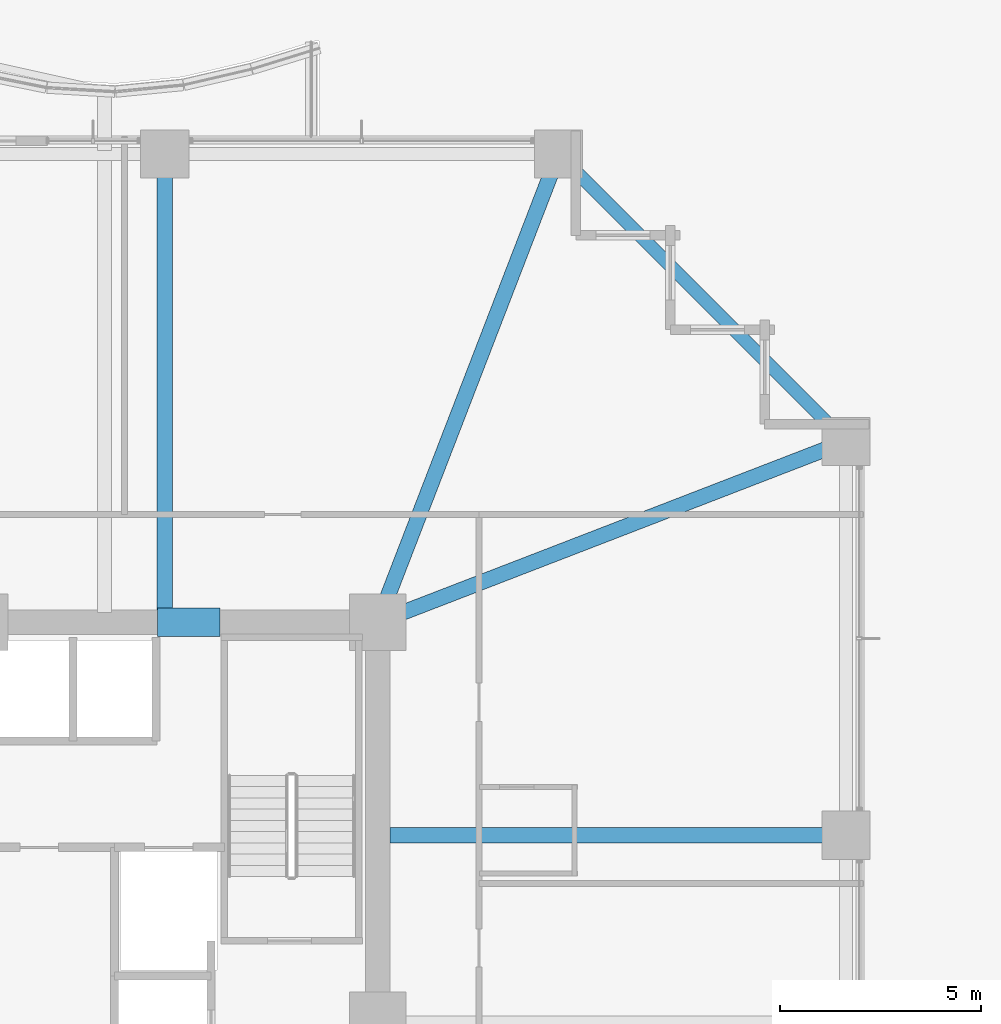
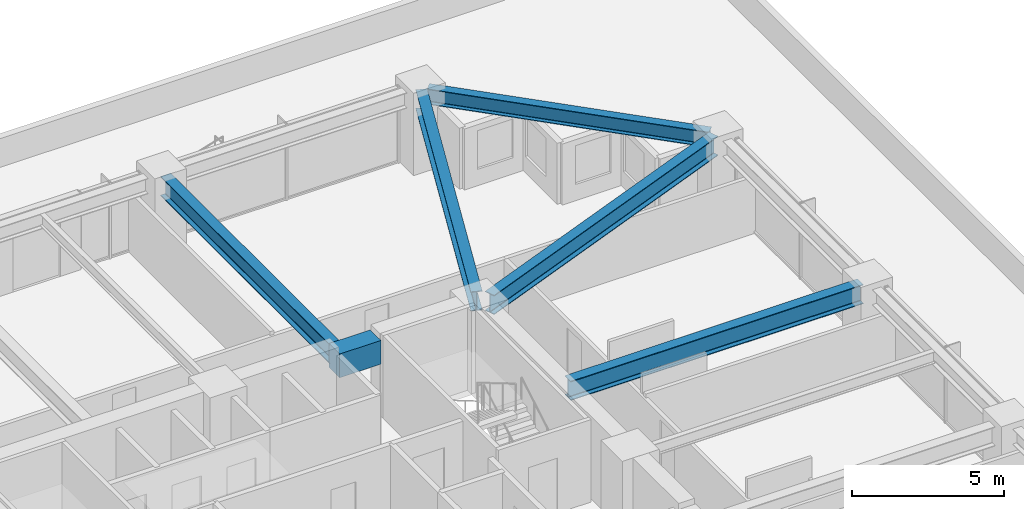
# One storey, part 22 of 36: 6 beams.
"""IFC4 building model written with IfcOpenShell, lengths in metres."""

import ifcopenshell
import ifcopenshell.guid

model = None  # the IFC model being written
_history = None  # IfcOwnerHistory: only IFC2X3 demands one
_inside = {}  # id of a spatial element -> (the spatial element, [elements in it])
_under = {}  # id of a project, library or spatial element -> (it, [spatial elements below it])
_declared = {}  # id of a project -> (the project, [libraries it declares])
_typed = {}  # id of a type object -> (the type object, [elements of that type])
_made_of = {}  # id of a material, layer set ... -> (it, [elements and type objects made of it])


def new_model(schema):
    """Start an empty IFC model of exactly this schema.

    Asked for "IFC4X3", IfcOpenShell would pick the latest addendum, in which some entities
    have other attributes; the version numbers below select the first issue.
    IFC2X3 requires an IfcOwnerHistory on every rooted entity: one is made here for all.
    """
    global model, _history
    if schema == "IFC4X3":
        model = ifcopenshell.file(schema_version=(4, 3, 0, 0))
    else:
        model = ifcopenshell.file(schema=schema)
    _inside.clear()
    _under.clear()
    _declared.clear()
    _typed.clear()
    _made_of.clear()
    _history = None
    if model.schema == "IFC2X3":
        org = make("IfcOrganization", Name="unknown")
        user = make(
            "IfcPersonAndOrganization",
            ThePerson=make("IfcPerson", FamilyName="unknown"),
            TheOrganization=org,
        )
        app = make(
            "IfcApplication",
            ApplicationDeveloper=org,
            Version="unknown",
            ApplicationFullName="unknown",
            ApplicationIdentifier="unknown",
        )
        _history = make(
            "IfcOwnerHistory",
            OwningUser=user,
            OwningApplication=app,
            ChangeAction="ADDED",
            CreationDate=0,
        )
    return model


def make(cls, **values):
    """One entity of the class cls with the attributes given. An attribute that is None is left unset."""
    return model.create_entity(
        cls, **{name: value for name, value in values.items() if value is not None}
    )


def rooted(cls, **values):
    """An entity with a GlobalId (a new one), such as an element, a storey or a relation."""
    return make(cls, GlobalId=ifcopenshell.guid.new(), OwnerHistory=_history, **values)


def si_unit(unit_type, name, prefix=None):
    """IfcSIUnit, for example si_unit("LENGTHUNIT", "METRE", prefix="MILLI")."""
    return make("IfcSIUnit", UnitType=unit_type, Prefix=prefix, Name=name)


def assignment(units):
    """IfcUnitAssignment: the units of a project."""
    return None if units is None else make("IfcUnitAssignment", Units=units)


def point(xyz):
    """IfcCartesianPoint."""
    return None if xyz is None else make("IfcCartesianPoint", Coordinates=xyz)


def direction(xyz):
    """IfcDirection."""
    return None if xyz is None else make("IfcDirection", DirectionRatios=xyz)


def frame(location, z_axis=None, x_axis=None):
    """IfcAxis2Placement3D, a coordinate frame: its origin and axes. An axis left out is left unset."""
    return make(
        "IfcAxis2Placement3D",
        Location=point(location),
        Axis=direction(z_axis),
        RefDirection=direction(x_axis),
    )


def frame_2d(location, x_axis=None):
    """IfcAxis2Placement2D, a coordinate frame in the plane: its origin and x axis."""
    return make(
        "IfcAxis2Placement2D", Location=point(location), RefDirection=direction(x_axis)
    )


def origin():
    """The frame at (0, 0, 0) with its axes left unset."""
    return frame((0.0, 0.0, 0.0))


def origin_2d():
    """The frame at (0, 0) in the plane with its x axis left unset."""
    return frame_2d((0.0, 0.0))


def place(relative_to, where):
    """IfcLocalPlacement: puts the frame where relative to a parent placement (None: the world)."""
    return make(
        "IfcLocalPlacement", PlacementRelTo=relative_to, RelativePlacement=where
    )


def context(
    kind, dimensions, precision=None, world=None, true_north=None, identifier=None
):
    """IfcGeometricRepresentationContext, for example the 3D "Model" context."""
    return make(
        "IfcGeometricRepresentationContext",
        ContextIdentifier=identifier,
        ContextType=kind,
        CoordinateSpaceDimension=dimensions,
        Precision=precision,
        WorldCoordinateSystem=world,
        TrueNorth=true_north,
    )


def subcontext(parent, identifier, kind, view, scale=None):
    """IfcGeometricRepresentationSubContext, for example "Body" below "Model"."""
    return make(
        "IfcGeometricRepresentationSubContext",
        ContextIdentifier=identifier,
        ContextType=kind,
        ParentContext=parent,
        TargetScale=scale,
        TargetView=view,
    )


def project(units=None, contexts=None):
    """IfcProject with its units and contexts."""
    return rooted(
        "IfcProject",
        Name="project",
        RepresentationContexts=contexts,
        UnitsInContext=assignment(units),
    )


def spatial(cls, under=None, at=None, **own):
    """A site, building, storey or space (cls), placed at a placement, below another one or the project."""
    s = rooted(cls, ObjectPlacement=at, **own)
    if under is not None:
        _under.setdefault(under.id(), (under, []))[1].append(s)
    return s


def profile(cls, at=None, kind="AREA", **sizes):
    """A parametric profile (cls). Its sizes go by their IFC names, for example OverallWidth=200.0."""
    return make(cls, ProfileType=kind, Position=at, **sizes)


def rectangle(**sizes):
    """IfcRectangleProfileDef."""
    return profile("IfcRectangleProfileDef", **sizes)


def i_section(**sizes):
    """IfcIShapeProfileDef."""
    return profile("IfcIShapeProfileDef", **sizes)


def extrude(swept, where, along, depth):
    """IfcExtrudedAreaSolid: the profile swept, set in the frame where, extruded along a direction by depth."""
    return make(
        "IfcExtrudedAreaSolid",
        SweptArea=swept,
        Position=where,
        ExtrudedDirection=direction(along),
        Depth=depth,
    )


def shape(context_of_items, identifier, shape_type, items):
    """IfcShapeRepresentation: the items that make up one representation, for example the "Body"."""
    return make(
        "IfcShapeRepresentation",
        ContextOfItems=context_of_items,
        RepresentationIdentifier=identifier,
        RepresentationType=shape_type,
        Items=items,
    )


def material(Name=None, Category=None):
    """IfcMaterial."""
    return make("IfcMaterial", Name=Name, Category=Category)


def material_profile(
    of_material, cross_section, Name=None, Category=None, Priority=None
):
    """IfcMaterialProfile: a cross section and its material."""
    return make(
        "IfcMaterialProfile",
        Name=Name,
        Material=of_material,
        Profile=cross_section,
        Priority=Priority,
        Category=Category,
    )


def profile_set(profiles, Name=None, composite=None):
    """IfcMaterialProfileSet."""
    return make(
        "IfcMaterialProfileSet",
        Name=Name,
        MaterialProfiles=profiles,
        CompositeProfile=composite,
    )


def made_of(thing, what):
    """Note that an element or type object is made of a material, layer set ...; save() writes the relation."""
    if what is not None:
        _made_of.setdefault(what.id(), (what, []))[1].append(thing)
    return thing


def type_object(cls, material=None, **own):
    """A type object (cls), such as IfcWallType, which elements share."""
    return made_of(rooted(cls, **own), material)


def element(
    cls,
    number,
    at=None,
    inside=None,
    cuts=None,
    type_object=None,
    material=None,
    context=None,
    identifier="Body",
    shape_type=None,
    held_by="IfcProductDefinitionShape",
    body=None,
    shapes=None,
    **own,
):
    """One element of the class cls, such as IfcWall. Its Tag is "e" and its number.

    at: its placement. inside: the storey or other place that contains it. cuts: it is an
    opening in that element (IfcRelVoidsElement). A single representation is given by context,
    identifier, shape_type and body (its items); several are given by shapes. held_by: the class
    of the entity that holds the representations. save() writes the other relations.
    """
    e = rooted(cls, Tag="e%d" % number, ObjectPlacement=at, **own)
    if body is not None:
        shapes = [shape(context, identifier, shape_type, body)]
    if shapes is not None:
        e.Representation = make(held_by, Representations=shapes)
    if inside is not None:
        _inside.setdefault(inside.id(), (inside, []))[1].append(e)
    if cuts is not None:
        rooted(
            "IfcRelVoidsElement", RelatingBuildingElement=cuts, RelatedOpeningElement=e
        )
    if type_object is not None:
        _typed.setdefault(type_object.id(), (type_object, []))[1].append(e)
    return made_of(e, material)


def aggregate(whole, parts):
    """IfcRelAggregates: a whole, such as a stair, and the parts it consists of."""
    return rooted("IfcRelAggregates", RelatingObject=whole, RelatedObjects=parts)


def save(model, path):
    """Write the relations noted so far, then the file.

    IfcRelAggregates (storeys below a building ...), IfcRelContainedInSpatialStructure (elements
    in a storey), IfcRelDefinesByType, IfcRelAssociatesMaterial and IfcRelDeclares: one each for
    every whole, place, type object, material and project.
    """
    for whole, parts in _under.values():
        aggregate(whole, parts)
    for where, things in _inside.values():
        rooted(
            "IfcRelContainedInSpatialStructure",
            RelatedElements=things,
            RelatingStructure=where,
        )
    for kind, things in _typed.values():
        rooted("IfcRelDefinesByType", RelatedObjects=things, RelatingType=kind)
    for what, things in _made_of.values():
        rooted("IfcRelAssociatesMaterial", RelatedObjects=things, RelatingMaterial=what)
    for by, libraries in _declared.values():
        rooted("IfcRelDeclares", RelatingContext=by, RelatedDefinitions=libraries)
    model.write(path)


model = new_model("IFC4")

# Units and contexts
model_context = context("Model", 3, precision=1e-05, world=origin(), true_north=direction((0.0, 1.0)))
body_context = subcontext(model_context, "Body", "Model", "MODEL_VIEW")
ifc_project = project(units=[si_unit("LENGTHUNIT", "METRE"), si_unit("AREAUNIT", "SQUARE_METRE"), si_unit("VOLUMEUNIT", "CUBIC_METRE"), si_unit("PLANEANGLEUNIT", "RADIAN"), si_unit("MASSUNIT", "GRAM", prefix="KILO")], contexts=[model_context])

# Site, building, storey
site_placement = place(None, origin())
site = spatial("IfcSite", under=ifc_project, at=site_placement, CompositionType="ELEMENT")
building_placement = place(site_placement, origin())
building = spatial("IfcBuilding", under=site, at=building_placement, Name="Kolvaren Belvedere", CompositionType="ELEMENT")
storey_placement = place(building_placement, frame((0.0, 0.0, 23.800048828125)))
storey = spatial("IfcBuildingStorey", under=building, at=storey_placement, Name="L06", CompositionType="ELEMENT", Elevation=23.800048828125)

# Beams
ifc_material_1 = material(Name="Structural steel ASTM A992 Grade 50", Category="steel")
ifc_material_profile_1 = material_profile(ifc_material_1, i_section(OverallWidth=0.381103515625, OverallDepth=0.77294921875, WebThickness=0.0166015625, FlangeThickness=0.027099609375, FilletRadius=0.02392578125, at=origin_2d()), Name="W30X173")
ifc_profile_set_1 = profile_set([ifc_material_profile_1], Name="Structural steel ASTM A992 Grade 50")
beam_type_1 = type_object("IfcBeamType", Name="BM-GIRD-W30X173", PredefinedType="BEAM", material=ifc_profile_set_1)
for number, where, z_axis, x_axis, name in (
    (1, (4.60009765625, 10.199951171875, 2.67333984375), (0.0, 1.0, 0.0), (-1.0, 0.0, 0.0), "L06 North Radial Girder P"),
    (2, (10.199951171875, 4.60009765625, 2.67333984375), (1.0, 0.0, 0.0), (0.0, 1.0, 0.0), "L06 East Radial Girder P"),
):
    element("IfcBeam", number, at=place(storey_placement, frame(where, z_axis=z_axis, x_axis=x_axis)), inside=storey, type_object=beam_type_1, Name=name, PredefinedType="BEAM", context=body_context, shape_type="SweptSolid", body=[
        extrude(i_section(OverallWidth=0.381103515625, OverallDepth=0.77294921875, WebThickness=0.0166015625, FlangeThickness=0.027099609375, FilletRadius=0.02392578125, at=origin_2d()), origin(), (0.0, 0.0, 1.0), 11.080078125),
    ])
for number, where, z_axis, x_axis, name in (
    (3, (10.09814453125, 10.4130859375, 2.67333984375), (0.360318391835, 0.932829382313, 0.0), (-0.932829382313, 0.360318391835, 0.0), "L06 Corner Core-to-Perimeter Girder CC3-N4"),
    (4, (10.4130859375, 10.09814453125, 2.67333984375), (0.932829382313, 0.360318391835, 0.0), (-0.360318391835, 0.932829382313, 0.0), "L06 Corner Core-to-Perimeter Girder CC3-E4"),
):
    element("IfcBeam", number, at=place(storey_placement, frame(where, z_axis=z_axis, x_axis=x_axis)), inside=storey, type_object=beam_type_1, Name=name, PredefinedType="BEAM", context=body_context, shape_type="SweptSolid", body=[
        extrude(i_section(OverallWidth=0.381103515625, OverallDepth=0.77294921875, WebThickness=0.0166015625, FlangeThickness=0.027099609375, FilletRadius=0.02392578125, at=origin_2d()), origin(), (0.0, 0.0, 1.0), 11.698974609375),
    ])
ifc_material_2 = material(Name="Concrete C60/75", Category="concrete")
ifc_material_profile_2 = material_profile(ifc_material_2, rectangle(XDim=0.699951171875, YDim=0.949951171875, at=origin_2d()), Name="RC 700X950")
ifc_profile_set_2 = profile_set([ifc_material_profile_2], Name="Concrete C60/75")
beam_type_2 = type_object("IfcBeamType", Name="BM-LINT-950", PredefinedType="LINTEL", material=ifc_profile_set_2)
beam_1_placement = place(storey_placement, frame((4.419921875, 9.89990234375, 2.5849609375), z_axis=(1.0, 0.0, 0.0), x_axis=(0.0, 1.0, 0.0)))
element("IfcBeam", 5, at=beam_1_placement, inside=storey, type_object=beam_type_2, Name="L06 North Core Coupling Lintel", PredefinedType="LINTEL", context=body_context, shape_type="SweptSolid", body=[
    extrude(rectangle(XDim=0.699951171875, YDim=0.949951171875, at=origin_2d()), origin(), (0.0, 0.0, 1.0), 1.56005859375),
])
ifc_material_3 = material(Name="Structural steel ASTM A992 Grade 50", Category="steel")
ifc_material_profile_3 = material_profile(ifc_material_3, i_section(OverallWidth=0.324951171875, OverallDepth=0.615966796875, WebThickness=0.013916015625, FlangeThickness=0.021484375, FilletRadius=0.02001953125, at=origin_2d()), Name="W24X117")
ifc_profile_set_3 = profile_set([ifc_material_profile_3], Name="Structural steel ASTM A992 Grade 50")
beam_type_3 = type_object("IfcBeamType", Name="BM-SPAN-W24X117", PredefinedType="SPANDREL", material=ifc_profile_set_3)
beam_2_placement = place(storey_placement, frame((21.359130859375, 14.5908203125, 2.751953125), z_axis=(-0.707106781187, 0.707106781187, 0.0), x_axis=(-0.707106781187, -0.707106781187, 0.0)))
element("IfcBeam", 6, at=beam_2_placement, inside=storey, type_object=beam_type_3, Name="L06 Perimeter Spandrel E4-N4", PredefinedType="SPANDREL", context=body_context, shape_type="SweptSolid", body=[
    extrude(i_section(OverallWidth=0.324951171875, OverallDepth=0.615966796875, WebThickness=0.013916015625, FlangeThickness=0.021484375, FilletRadius=0.02001953125, at=origin_2d()), origin(), (0.0, 0.0, 1.0), 9.57177734375),
])

save(model, "model.ifc")
